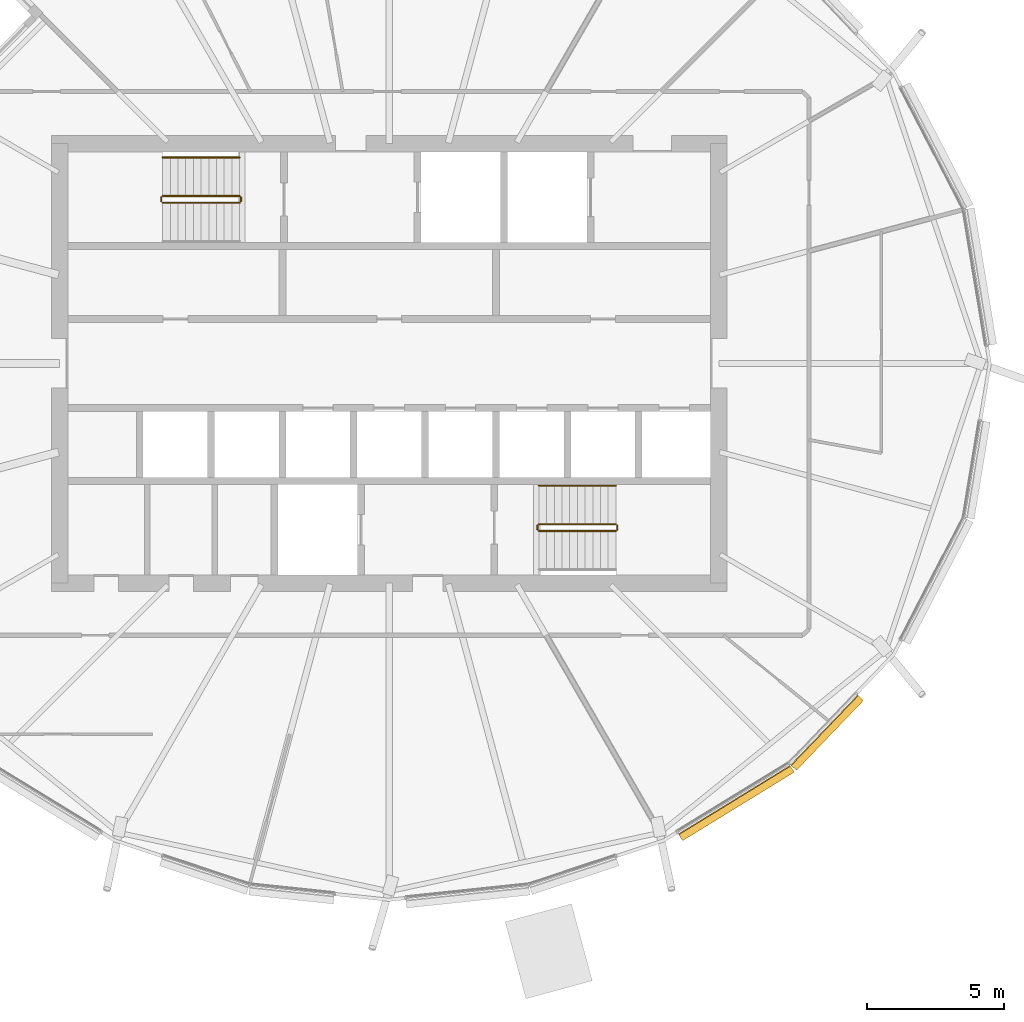
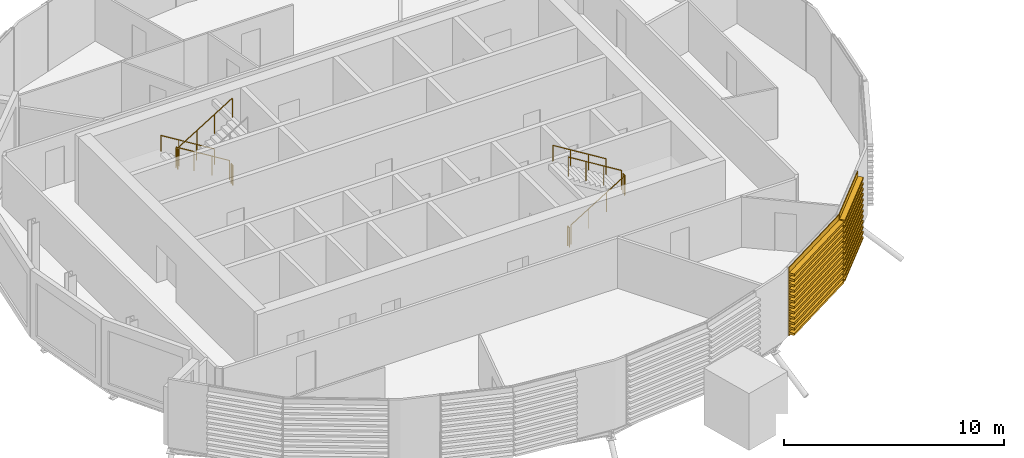
# One storey, part 34 of 38: 10 railings, 2 coverings.
"""IFC4 building model written with IfcOpenShell, lengths in metres."""

from ifc_helpers import new_model, si_unit, direction, frame, origin, origin_2d, place, context, subcontext, project, spatial, polyline, circle, outline, extrude, material, material_profile, profile_set, type_object, element, save


model = new_model("IFC4")

# Units and contexts
model_context = context("Model", 3, precision=1e-05, world=origin(), true_north=direction((0.0, 1.0)))
body_context = subcontext(model_context, "Body", "Model", "MODEL_VIEW")
ifc_project = project(units=[si_unit("LENGTHUNIT", "METRE"), si_unit("AREAUNIT", "SQUARE_METRE"), si_unit("VOLUMEUNIT", "CUBIC_METRE"), si_unit("PLANEANGLEUNIT", "RADIAN"), si_unit("MASSUNIT", "GRAM", prefix="KILO")], contexts=[model_context])

# Site, building, storey
site_placement = place(None, origin())
site = spatial("IfcSite", under=ifc_project, at=site_placement, CompositionType="ELEMENT")
building_placement = place(site_placement, origin())
building = spatial("IfcBuilding", under=site, at=building_placement, Name="Rimbun Link Towers", CompositionType="ELEMENT")
storey_placement = place(building_placement, frame((0.0, 0.0, 185.5)))
storey = spatial("IfcBuildingStorey", under=building, at=storey_placement, Name="L45", CompositionType="ELEMENT", Elevation=185.5)

# Railings
ifc_material_1 = material(Name="Stainless steel grade 316", Category="steel")
railing_type_1 = type_object("IfcRailingType", Name="Stair guard", PredefinedType="GUARDRAIL", material=ifc_material_1)
railing_1_placement = place(storey_placement, frame((-37.199951171875, 6.10009765625, 0.172607421875)))
element("IfcRailing", 1, at=railing_1_placement, inside=storey, type_object=railing_type_1, Name="L45 ST1 stair guard 1", PredefinedType="GUARDRAIL", context=body_context, shape_type="SweptSolid", body=[
    extrude(circle(Radius=0.02392578125, at=origin_2d()), frame((0.0, 0.0, 1.076171875), z_axis=(-0.851089632645, 0.0, 0.525020415988), x_axis=(0.0, -1.0, 0.0)), (0.0, 0.0, 1.0), 3.2900390625),
    extrude(circle(Radius=0.02099609375, at=origin_2d()), origin(), (0.0, 0.0, 1.0), 1.052001953125),
    extrude(circle(Radius=0.02099609375, at=origin_2d()), frame((-0.933349609375, 0.0, 0.57568359375)), (0.0, 0.0, 1.0), 1.052001953125),
    extrude(circle(Radius=0.02099609375, at=origin_2d()), frame((-1.86669921875, 0.0, 1.151611328125)), (0.0, 0.0, 1.0), 1.052001953125),
    extrude(circle(Radius=0.02099609375, at=origin_2d()), frame((-2.800048828125, 0.0, 1.727294921875)), (0.0, 0.0, 1.0), 1.052001953125),
])
railing_2_placement = place(storey_placement, frame((-40.050048828125, 6.050048828125, 1.89990234375)))
element("IfcRailing", 2, at=railing_2_placement, inside=storey, type_object=railing_type_1, Name="L45 ST1 stair guard 2", PredefinedType="GUARDRAIL", context=body_context, shape_type="SweptSolid", body=[
    extrude(circle(Radius=0.02392578125, at=origin_2d()), frame((0.0, 0.0, 1.076171875), z_axis=(0.0, -1.0, 0.0), x_axis=(1.0, 0.0, 0.0)), (0.0, 0.0, 1.0), 0.150146484375),
    extrude(circle(Radius=0.02099609375, at=origin_2d()), origin(), (0.0, 0.0, 1.0), 1.052001953125),
    extrude(circle(Radius=0.02099609375, at=origin_2d()), frame((0.0, -0.150146484375, 0.0)), (0.0, 0.0, 1.0), 1.052001953125),
])
railing_3_placement = place(storey_placement, frame((-40.0, 5.85009765625, 2.07275390625)))
element("IfcRailing", 3, at=railing_3_placement, inside=storey, type_object=railing_type_1, Name="L45 ST1 stair guard 3", PredefinedType="GUARDRAIL", context=body_context, shape_type="SweptSolid", body=[
    extrude(circle(Radius=0.02392578125, at=origin_2d()), frame((0.0, 0.0, 1.076171875), z_axis=(0.851089632645, 0.0, 0.525020415988), x_axis=(0.0, 1.0, 0.0)), (0.0, 0.0, 1.0), 3.2900390625),
    extrude(circle(Radius=0.02099609375, at=origin_2d()), origin(), (0.0, 0.0, 1.0), 1.052001953125),
    extrude(circle(Radius=0.02099609375, at=origin_2d()), frame((0.933349609375, 0.0, 0.57568359375)), (0.0, 0.0, 1.0), 1.052001953125),
    extrude(circle(Radius=0.02099609375, at=origin_2d()), frame((1.86669921875, 0.0, 1.151611328125)), (0.0, 0.0, 1.0), 1.052001953125),
    extrude(circle(Radius=0.02099609375, at=origin_2d()), frame((2.800048828125, 0.0, 1.727294921875)), (0.0, 0.0, 1.0), 1.052001953125),
])
railing_4_placement = place(storey_placement, frame((-37.14990234375, 6.050048828125, 0.0)))
element("IfcRailing", 4, at=railing_4_placement, inside=storey, type_object=railing_type_1, Name="L45 ST1 stair guard 4", PredefinedType="GUARDRAIL", context=body_context, shape_type="SweptSolid", body=[
    extrude(circle(Radius=0.02392578125, at=origin_2d()), frame((0.0, 0.0, 1.076171875), z_axis=(0.0, -1.0, 0.0), x_axis=(1.0, 0.0, 0.0)), (0.0, 0.0, 1.0), 0.150146484375),
    extrude(circle(Radius=0.02099609375, at=origin_2d()), origin(), (0.0, 0.0, 1.0), 1.052001953125),
    extrude(circle(Radius=0.02099609375, at=origin_2d()), frame((0.0, -0.150146484375, 0.0)), (0.0, 0.0, 1.0), 1.052001953125),
])
railing_5_placement = place(storey_placement, frame((-26.300048828125, -6.10009765625, 0.172607421875)))
element("IfcRailing", 5, at=railing_5_placement, inside=storey, type_object=railing_type_1, Name="L45 ST2 stair guard 1", PredefinedType="GUARDRAIL", context=body_context, shape_type="SweptSolid", body=[
    extrude(circle(Radius=0.02392578125, at=origin_2d()), frame((0.0, 0.0, 1.076171875), z_axis=(0.851089632645, 0.0, 0.525020415988), x_axis=(0.0, 1.0, 0.0)), (0.0, 0.0, 1.0), 3.2900390625),
    extrude(circle(Radius=0.02099609375, at=origin_2d()), origin(), (0.0, 0.0, 1.0), 1.052001953125),
    extrude(circle(Radius=0.02099609375, at=origin_2d()), frame((0.933349609375, 0.0, 0.57568359375)), (0.0, 0.0, 1.0), 1.052001953125),
    extrude(circle(Radius=0.02099609375, at=origin_2d()), frame((1.86669921875, 0.0, 1.151611328125)), (0.0, 0.0, 1.0), 1.052001953125),
    extrude(circle(Radius=0.02099609375, at=origin_2d()), frame((2.800048828125, 0.0, 1.727294921875)), (0.0, 0.0, 1.0), 1.052001953125),
])
railing_6_placement = place(storey_placement, frame((-23.449951171875, -6.050048828125, 1.89990234375)))
element("IfcRailing", 6, at=railing_6_placement, inside=storey, type_object=railing_type_1, Name="L45 ST2 stair guard 2", PredefinedType="GUARDRAIL", context=body_context, shape_type="SweptSolid", body=[
    extrude(circle(Radius=0.02392578125, at=origin_2d()), frame((0.0, 0.0, 1.076171875), z_axis=(0.0, 1.0, 0.0), x_axis=(-1.0, 0.0, 0.0)), (0.0, 0.0, 1.0), 0.150146484375),
    extrude(circle(Radius=0.02099609375, at=origin_2d()), origin(), (0.0, 0.0, 1.0), 1.052001953125),
    extrude(circle(Radius=0.02099609375, at=origin_2d()), frame((0.0, 0.150146484375, 0.0)), (0.0, 0.0, 1.0), 1.052001953125),
])
railing_7_placement = place(storey_placement, frame((-23.5, -5.85009765625, 2.07275390625)))
element("IfcRailing", 7, at=railing_7_placement, inside=storey, type_object=railing_type_1, Name="L45 ST2 stair guard 3", PredefinedType="GUARDRAIL", context=body_context, shape_type="SweptSolid", body=[
    extrude(circle(Radius=0.02392578125, at=origin_2d()), frame((0.0, 0.0, 1.076171875), z_axis=(-0.851089632645, 0.0, 0.525020415988), x_axis=(0.0, -1.0, 0.0)), (0.0, 0.0, 1.0), 3.2900390625),
    extrude(circle(Radius=0.02099609375, at=origin_2d()), origin(), (0.0, 0.0, 1.0), 1.052001953125),
    extrude(circle(Radius=0.02099609375, at=origin_2d()), frame((-0.933349609375, 0.0, 0.57568359375)), (0.0, 0.0, 1.0), 1.052001953125),
    extrude(circle(Radius=0.02099609375, at=origin_2d()), frame((-1.86669921875, 0.0, 1.151611328125)), (0.0, 0.0, 1.0), 1.052001953125),
    extrude(circle(Radius=0.02099609375, at=origin_2d()), frame((-2.800048828125, 0.0, 1.727294921875)), (0.0, 0.0, 1.0), 1.052001953125),
])
railing_8_placement = place(storey_placement, frame((-26.35009765625, -6.050048828125, 0.0)))
element("IfcRailing", 8, at=railing_8_placement, inside=storey, type_object=railing_type_1, Name="L45 ST2 stair guard 4", PredefinedType="GUARDRAIL", context=body_context, shape_type="SweptSolid", body=[
    extrude(circle(Radius=0.02392578125, at=origin_2d()), frame((0.0, 0.0, 1.076171875), z_axis=(0.0, 1.0, 0.0), x_axis=(-1.0, 0.0, 0.0)), (0.0, 0.0, 1.0), 0.150146484375),
    extrude(circle(Radius=0.02099609375, at=origin_2d()), origin(), (0.0, 0.0, 1.0), 1.052001953125),
    extrude(circle(Radius=0.02099609375, at=origin_2d()), frame((0.0, 0.150146484375, 0.0)), (0.0, 0.0, 1.0), 1.052001953125),
])
ifc_material_2 = material(Name="Stainless steel grade 316", Category="steel")
railing_type_2 = type_object("IfcRailingType", Name="Stair handrail", PredefinedType="HANDRAIL", material=ifc_material_2)
for number, where, name in (
    (9, (-37.199951171875, 7.5, 0.172607421875), "L45 ST1 stair handrail 1"),
    (10, (-23.5, -4.449951171875, 2.07275390625), "L45 ST2 stair handrail 2"),
):
    element("IfcRailing", number, at=place(storey_placement, frame(where)), inside=storey, type_object=railing_type_2, Name=name, PredefinedType="HANDRAIL", context=body_context, shape_type="SweptSolid", body=[
        extrude(circle(Radius=0.02392578125, at=origin_2d()), frame((0.0, 0.0, 0.8759765625), z_axis=(-0.851089632645, 0.0, 0.525020415988), x_axis=(0.0, -1.0, 0.0)), (0.0, 0.0, 1.0), 3.2900390625),
        extrude(circle(Radius=0.02099609375, at=origin_2d()), origin(), (0.0, 0.0, 1.0), 0.851806640625),
        extrude(circle(Radius=0.02099609375, at=origin_2d()), frame((-0.933349609375, 0.0, 0.57568359375)), (0.0, 0.0, 1.0), 0.851806640625),
        extrude(circle(Radius=0.02099609375, at=origin_2d()), frame((-1.86669921875, 0.0, 1.151611328125)), (0.0, 0.0, 1.0), 0.851806640625),
        extrude(circle(Radius=0.02099609375, at=origin_2d()), frame((-2.800048828125, 0.0, 1.727294921875)), (0.0, 0.0, 1.0), 0.851806640625),
    ])

# Coverings
ifc_material_3 = material(Name="Terracotta", Category="masonry")
ifc_material_profile = material_profile(ifc_material_3, outline(polyline([(0.123046875, 0.0), (0.1630859375, 0.0), (0.1630859375, 0.10009765625), (0.423095703125, 0.10009765625), (0.423095703125, 0.219970703125), (0.1630859375, 0.219970703125), (0.1630859375, 0.39990234375), (0.423095703125, 0.39990234375), (0.423095703125, 0.52001953125), (0.1630859375, 0.52001953125), (0.1630859375, 0.699951171875), (0.423095703125, 0.699951171875), (0.423095703125, 0.820068359375), (0.1630859375, 0.820068359375), (0.1630859375, 1.0), (0.423095703125, 1.0), (0.423095703125, 1.1201171875), (0.1630859375, 1.1201171875), (0.1630859375, 1.300048828125), (0.423095703125, 1.300048828125), (0.423095703125, 1.419921875), (0.1630859375, 1.419921875), (0.1630859375, 1.60009765625), (0.423095703125, 1.60009765625), (0.423095703125, 1.719970703125), (0.1630859375, 1.719970703125), (0.1630859375, 1.89990234375), (0.423095703125, 1.89990234375), (0.423095703125, 2.02001953125), (0.1630859375, 2.02001953125), (0.1630859375, 2.199951171875), (0.423095703125, 2.199951171875), (0.423095703125, 2.320068359375), (0.1630859375, 2.320068359375), (0.1630859375, 2.5), (0.423095703125, 2.5), (0.423095703125, 2.6201171875), (0.1630859375, 2.6201171875), (0.1630859375, 2.800048828125), (0.423095703125, 2.800048828125), (0.423095703125, 2.919921875), (0.1630859375, 2.919921875), (0.1630859375, 3.10009765625), (0.423095703125, 3.10009765625), (0.423095703125, 3.219970703125), (0.1630859375, 3.219970703125), (0.1630859375, 3.39990234375), (0.423095703125, 3.39990234375), (0.423095703125, 3.52001953125), (0.1630859375, 3.52001953125), (0.1630859375, 3.800048828125), (0.123046875, 3.800048828125), (0.123046875, 0.0)])), Name="BAGUETTE 120X300")
ifc_profile_set = profile_set([ifc_material_profile], Name="Terracotta")
covering_type = type_object("IfcCoveringType", Name="TERRACOTTA BAGUETTE 120X300 H3800", PredefinedType="CLADDING", material=ifc_profile_set)
covering_1_placement = place(storey_placement, frame((-17.230224609375, -14.519775390625, 0.0), z_axis=(-0.852178437942, -0.523251287535, 0.0), x_axis=(0.523251287535, -0.852178437942, 0.0)))
element("IfcCovering", 11, at=covering_1_placement, inside=storey, type_object=covering_type, Name="TERRACOTTA BAGUETTE", PredefinedType="CLADDING", context=body_context, shape_type="SweptSolid", body=[
    extrude(outline(polyline([(0.123046875, 0.0), (0.1630859375, 0.0), (0.1630859375, 0.10009765625), (0.423095703125, 0.10009765625), (0.423095703125, 0.219970703125), (0.1630859375, 0.219970703125), (0.1630859375, 0.39990234375), (0.423095703125, 0.39990234375), (0.423095703125, 0.52001953125), (0.1630859375, 0.52001953125), (0.1630859375, 0.699951171875), (0.423095703125, 0.699951171875), (0.423095703125, 0.820068359375), (0.1630859375, 0.820068359375), (0.1630859375, 1.0), (0.423095703125, 1.0), (0.423095703125, 1.1201171875), (0.1630859375, 1.1201171875), (0.1630859375, 1.300048828125), (0.423095703125, 1.300048828125), (0.423095703125, 1.419921875), (0.1630859375, 1.419921875), (0.1630859375, 1.60009765625), (0.423095703125, 1.60009765625), (0.423095703125, 1.719970703125), (0.1630859375, 1.719970703125), (0.1630859375, 1.89990234375), (0.423095703125, 1.89990234375), (0.423095703125, 2.02001953125), (0.1630859375, 2.02001953125), (0.1630859375, 2.199951171875), (0.423095703125, 2.199951171875), (0.423095703125, 2.320068359375), (0.1630859375, 2.320068359375), (0.1630859375, 2.5), (0.423095703125, 2.5), (0.423095703125, 2.6201171875), (0.1630859375, 2.6201171875), (0.1630859375, 2.800048828125), (0.423095703125, 2.800048828125), (0.423095703125, 2.919921875), (0.1630859375, 2.919921875), (0.1630859375, 3.10009765625), (0.423095703125, 3.10009765625), (0.423095703125, 3.219970703125), (0.1630859375, 3.219970703125), (0.1630859375, 3.39990234375), (0.423095703125, 3.39990234375), (0.423095703125, 3.52001953125), (0.1630859375, 3.52001953125), (0.1630859375, 3.800048828125), (0.123046875, 3.800048828125), (0.123046875, 0.0)])), origin(), (0.0, 0.0, 1.0), 4.7666015625),
])
covering_2_placement = place(storey_placement, frame((-14.79248046875, -11.977294921875, 0.0), z_axis=(-0.692082982419, -0.721817944808, 0.0), x_axis=(0.721817944808, -0.692082982419, 0.0)))
element("IfcCovering", 12, at=covering_2_placement, inside=storey, type_object=covering_type, Name="TERRACOTTA BAGUETTE", PredefinedType="CLADDING", context=body_context, shape_type="SweptSolid", body=[
    extrude(outline(polyline([(0.123046875, 0.0), (0.1630859375, 0.0), (0.1630859375, 0.10009765625), (0.423095703125, 0.10009765625), (0.423095703125, 0.219970703125), (0.1630859375, 0.219970703125), (0.1630859375, 0.39990234375), (0.423095703125, 0.39990234375), (0.423095703125, 0.52001953125), (0.1630859375, 0.52001953125), (0.1630859375, 0.699951171875), (0.423095703125, 0.699951171875), (0.423095703125, 0.820068359375), (0.1630859375, 0.820068359375), (0.1630859375, 1.0), (0.423095703125, 1.0), (0.423095703125, 1.1201171875), (0.1630859375, 1.1201171875), (0.1630859375, 1.300048828125), (0.423095703125, 1.300048828125), (0.423095703125, 1.419921875), (0.1630859375, 1.419921875), (0.1630859375, 1.60009765625), (0.423095703125, 1.60009765625), (0.423095703125, 1.719970703125), (0.1630859375, 1.719970703125), (0.1630859375, 1.89990234375), (0.423095703125, 1.89990234375), (0.423095703125, 2.02001953125), (0.1630859375, 2.02001953125), (0.1630859375, 2.199951171875), (0.423095703125, 2.199951171875), (0.423095703125, 2.320068359375), (0.1630859375, 2.320068359375), (0.1630859375, 2.5), (0.423095703125, 2.5), (0.423095703125, 2.6201171875), (0.1630859375, 2.6201171875), (0.1630859375, 2.800048828125), (0.423095703125, 2.800048828125), (0.423095703125, 2.919921875), (0.1630859375, 2.919921875), (0.1630859375, 3.10009765625), (0.423095703125, 3.10009765625), (0.423095703125, 3.219970703125), (0.1630859375, 3.219970703125), (0.1630859375, 3.39990234375), (0.423095703125, 3.39990234375), (0.423095703125, 3.52001953125), (0.1630859375, 3.52001953125), (0.1630859375, 3.800048828125), (0.123046875, 3.800048828125), (0.123046875, 0.0)])), origin(), (0.0, 0.0, 1.0), 3.522216796875),
])

save(model, "model.ifc")
